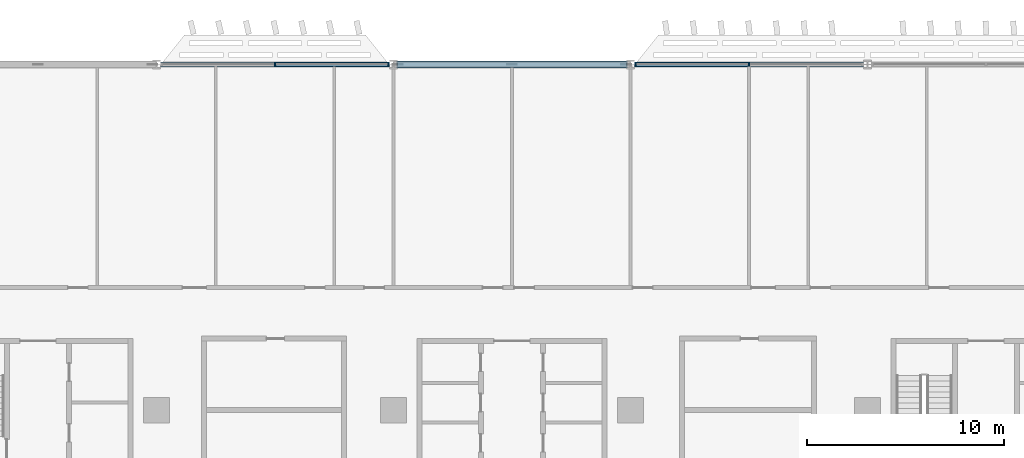
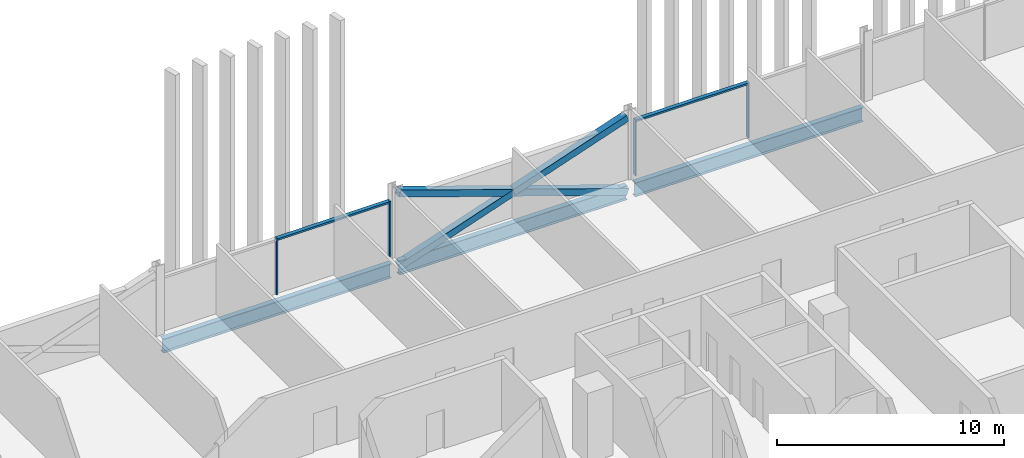
# One storey, part 7 of 32: 9 members, 3 beams, 2 elements without a shape of their own.
"""IFC4 building model written with IfcOpenShell, lengths in metres."""

from ifc_helpers import new_model, si_unit, direction, frame, origin, origin_2d, place, context, subcontext, project, spatial, rectangle, hollow_rectangle, i_section, extrude, material, material_profile, profile_set, type_object, element, aggregate, save


model = new_model("IFC4")

# Units and contexts
model_context = context("Model", 3, precision=1e-05, world=origin(), true_north=direction((0.0, 1.0)))
body_context = subcontext(model_context, "Body", "Model", "MODEL_VIEW")
ifc_project = project(units=[si_unit("LENGTHUNIT", "METRE"), si_unit("AREAUNIT", "SQUARE_METRE"), si_unit("VOLUMEUNIT", "CUBIC_METRE"), si_unit("PLANEANGLEUNIT", "RADIAN"), si_unit("MASSUNIT", "GRAM", prefix="KILO")], contexts=[model_context])

# Site, building, storey
site_placement = place(None, origin())
site = spatial("IfcSite", under=ifc_project, at=site_placement, CompositionType="ELEMENT")
building_placement = place(site_placement, origin())
building = spatial("IfcBuilding", under=site, at=building_placement, Name="Mahtab Terrace Research Tower", CompositionType="ELEMENT")
storey_placement = place(building_placement, frame((0.0, 0.0, 138.39990234375)))
storey = spatial("IfcBuildingStorey", under=building, at=storey_placement, Name="L32", CompositionType="ELEMENT", Elevation=138.39990234375)

# Members
ifc_material_1 = material(Name="Steel ASTM A500 Gr C", Category="steel")
ifc_material_profile_1 = material_profile(ifc_material_1, hollow_rectangle(XDim=0.355712890625, YDim=0.355712890625, WallThickness=0.01904296875, at=origin_2d()), Name="HSS14X14X3/4")
ifc_profile_set_1 = profile_set([ifc_material_profile_1], Name="Steel ASTM A500 Gr C")
member_type_1 = type_object("IfcMemberType", Name="HSS 14x14x3/4 brace XB141434", PredefinedType="BRACE", material=ifc_profile_set_1)
member_1_placement = place(storey_placement, frame((5.794189453125, 29.0, -0.64794921875), z_axis=(-0.946294377485, 0.0, 0.323306280699), x_axis=(0.0, -1.0, 0.0)))
element("IfcMember", 1, at=member_1_placement, inside=storey, type_object=member_type_1, Name="Exoskeleton brace L32 04 a", PredefinedType="BRACE", context=body_context, shape_type="SweptSolid", body=[
    extrude(hollow_rectangle(XDim=0.355712890625, YDim=0.355712890625, WallThickness=0.01904296875, at=origin_2d()), origin(), (0.0, 0.0, 1.0), 12.24609375),
])
for number, where, z_axis, x_axis, name in (
    (2, (-5.794189453125, 29.0, -0.64794921875), (0.946300476713, 0.0, 0.323288428146), (0.0, 1.0, 0.0), "Exoskeleton brace L32 04 b1"),
    (3, (0.0, 29.0, 1.33154296875), (0.946288278, 0.0, 0.323324132908), (0.0, 1.0, 0.0), "Exoskeleton brace L32 04 b2"),
):
    element("IfcMember", number, at=place(storey_placement, frame(where, z_axis=z_axis, x_axis=x_axis)), inside=storey, type_object=member_type_1, Name=name, PredefinedType="BRACE", context=body_context, shape_type="SweptSolid", body=[
        extrude(hollow_rectangle(XDim=0.355712890625, YDim=0.355712890625, WallThickness=0.01904296875, at=origin_2d()), origin(), (0.0, 0.0, 1.0), 6.123046875),
    ])

# Curtain wall, members
ifc_material_2 = material(Name="Laboratory ribbon curtain wall")
curtain_wall_type = type_object("IfcCurtainWallType", Name="Laboratory ribbon curtain wall", PredefinedType="NOTDEFINED", material=ifc_material_2)
curtain_wall_1_placement = place(storey_placement, origin())
curtain_wall_1 = element("IfcCurtainWall", 4, at=curtain_wall_1_placement, inside=storey, type_object=curtain_wall_type, Name="EN.L32.3.5", PredefinedType="NOTDEFINED")
ifc_material_3 = material(Name="Natural anodised aluminium", Category="aluminium")
ifc_material_profile_2 = material_profile(ifc_material_3, rectangle(XDim=0.199951171875, YDim=0.06494140625, at=origin_2d()), Name="MULLION 65x200")
ifc_profile_set_2 = profile_set([ifc_material_profile_2], Name="Natural anodised aluminium")
member_type_2 = type_object("IfcMemberType", Name="Laboratory ribbon curtain wall mullion", PredefinedType="MULLION", material=ifc_profile_set_2)
member_2_placement = place(storey_placement, frame((12.0, 29.0, 0.0), z_axis=(0.0, 0.0, 1.0), x_axis=(0.0, -1.0, 0.0)))
member_2 = element("IfcMember", 5, at=member_2_placement, type_object=member_type_2, Name="CWL-4 mullion 2", PredefinedType="MULLION", context=body_context, shape_type="SweptSolid", body=[
    extrude(rectangle(XDim=0.199951171875, YDim=0.06494140625, at=origin_2d()), origin(), (0.0, 0.0, 1.0), 3.003173828125),
])
member_3_placement = place(storey_placement, frame((6.25048828125, 29.0, 0.0), z_axis=(0.0, 0.0, 1.0), x_axis=(0.0, -1.0, 0.0)))
member_3 = element("IfcMember", 6, at=member_3_placement, type_object=member_type_2, Name="CWL-4 mullion 3", PredefinedType="MULLION", context=body_context, shape_type="SweptSolid", body=[
    extrude(rectangle(XDim=0.199951171875, YDim=0.06494140625, at=origin_2d()), origin(), (0.0, 0.0, 1.0), 3.003173828125),
])

curtain_wall_2_placement = place(storey_placement, origin())
curtain_wall_2 = element("IfcCurtainWall", 7, at=curtain_wall_2_placement, inside=storey, type_object=curtain_wall_type, Name="EN.L32.3.7", PredefinedType="NOTDEFINED")
member_4_placement = place(storey_placement, frame((-6.25048828125, 29.0, 0.0), z_axis=(0.0, 0.0, 1.0), x_axis=(0.0, -1.0, 0.0)))
member_4 = element("IfcMember", 8, at=member_4_placement, type_object=member_type_2, Name="CWL-4 mullion 1", PredefinedType="MULLION", context=body_context, shape_type="SweptSolid", body=[
    extrude(rectangle(XDim=0.199951171875, YDim=0.06494140625, at=origin_2d()), origin(), (0.0, 0.0, 1.0), 3.003173828125),
])
member_5_placement = place(storey_placement, frame((-12.0, 29.0, 0.0), z_axis=(0.0, 0.0, 1.0), x_axis=(0.0, -1.0, 0.0)))
member_5 = element("IfcMember", 9, at=member_5_placement, type_object=member_type_2, Name="CWL-4 mullion 2", PredefinedType="MULLION", context=body_context, shape_type="SweptSolid", body=[
    extrude(rectangle(XDim=0.199951171875, YDim=0.06494140625, at=origin_2d()), origin(), (0.0, 0.0, 1.0), 3.003173828125),
])

# Member
ifc_material_profile_3 = material_profile(ifc_material_3, rectangle(XDim=0.199951171875, YDim=0.10009765625, at=origin_2d()), Name="TRANSOM 100x200")
ifc_profile_set_3 = profile_set([ifc_material_profile_3], Name="Natural anodised aluminium")
member_type_3 = type_object("IfcMemberType", Name="Laboratory ribbon curtain wall transom", PredefinedType="USERDEFINED", material=ifc_profile_set_3)
member_6_placement = place(storey_placement, frame((11.967529296875, 29.0, 2.953125), z_axis=(-1.0, 0.0, 0.0), x_axis=(0.0, -1.0, 0.0)))
member_6 = element("IfcMember", 10, at=member_6_placement, type_object=member_type_3, Name="CWL-4 transom 2", ObjectType="TRANSOM", PredefinedType="USERDEFINED", context=body_context, shape_type="SweptSolid", body=[
    extrude(rectangle(XDim=0.199951171875, YDim=0.10009765625, at=origin_2d()), origin(), (0.0, 0.0, 1.0), 5.6845703125),
])

aggregate(curtain_wall_1, [member_2, member_3, member_6])

member_7_placement = place(storey_placement, frame((-6.282958984375, 29.0, 2.953125), z_axis=(-1.0, 0.0, 0.0), x_axis=(0.0, -1.0, 0.0)))
member_7 = element("IfcMember", 11, at=member_7_placement, type_object=member_type_3, Name="CWL-4 transom 1", ObjectType="TRANSOM", PredefinedType="USERDEFINED", context=body_context, shape_type="SweptSolid", body=[
    extrude(rectangle(XDim=0.199951171875, YDim=0.10009765625, at=origin_2d()), origin(), (0.0, 0.0, 1.0), 5.6845703125),
])

aggregate(curtain_wall_2, [member_4, member_5, member_7])

# Beams
ifc_material_4 = material(Name="Steel ASTM A992 Gr 50", Category="steel")
ifc_material_profile_4 = material_profile(ifc_material_4, i_section(OverallWidth=0.2666015625, OverallDepth=0.7568359375, WebThickness=0.013916015625, FlangeThickness=0.019287109375, at=origin_2d()), Name="W30X108")
ifc_profile_set_4 = profile_set([ifc_material_profile_4], Name="Steel ASTM A992 Gr 50")
beam_type = type_object("IfcBeamType", Name="W30x108 beam BS30108", PredefinedType="BEAM", material=ifc_profile_set_4)
for number, where, z_axis, x_axis, name in (
    (12, (17.794189453125, 29.0, -0.71826171875), (-1.0, 0.0, 0.0), (0.0, -1.0, 0.0), "Spandrel beam L32 03"),
    (13, (5.794189453125, 29.0, -0.71826171875), (-1.0, 0.0, 0.0), (0.0, -1.0, 0.0), "Spandrel beam L32 04"),
    (14, (-6.205810546875, 29.0, -0.71826171875), (-1.0, 0.0, 0.0), (0.0, -1.0, 0.0), "Spandrel beam L32 05"),
):
    element("IfcBeam", number, at=place(storey_placement, frame(where, z_axis=z_axis, x_axis=x_axis)), inside=storey, type_object=beam_type, Name=name, PredefinedType="BEAM", context=body_context, shape_type="SweptSolid", body=[
        extrude(i_section(OverallWidth=0.2666015625, OverallDepth=0.7568359375, WebThickness=0.013916015625, FlangeThickness=0.019287109375, at=origin_2d()), origin(), (0.0, 0.0, 1.0), 11.58837890625),
    ])

save(model, "model.ifc")
